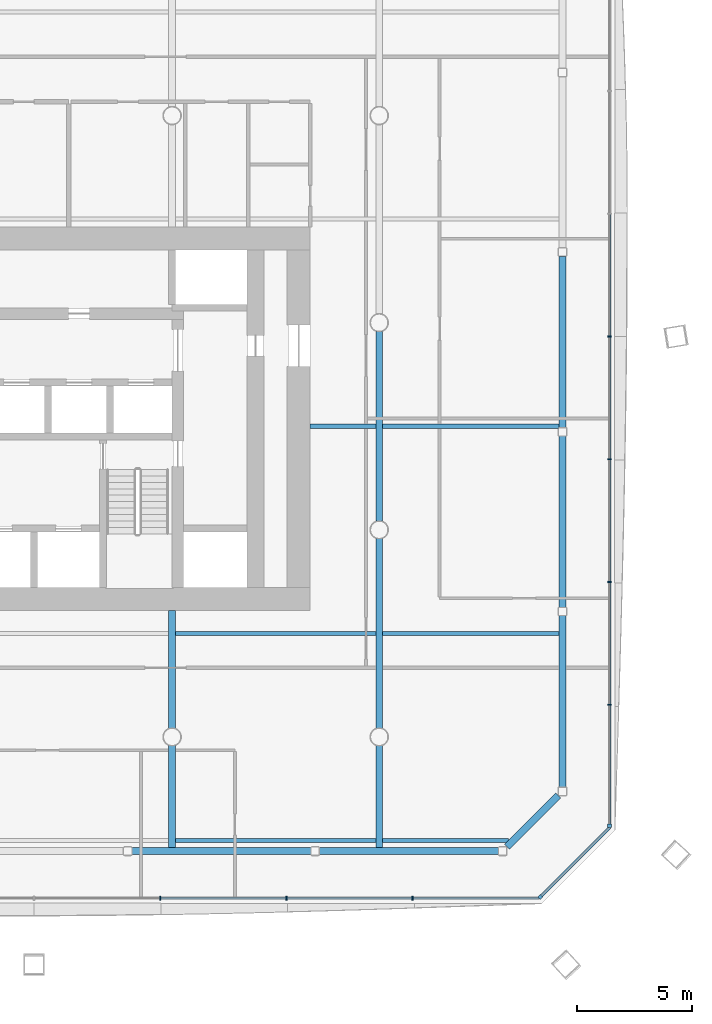
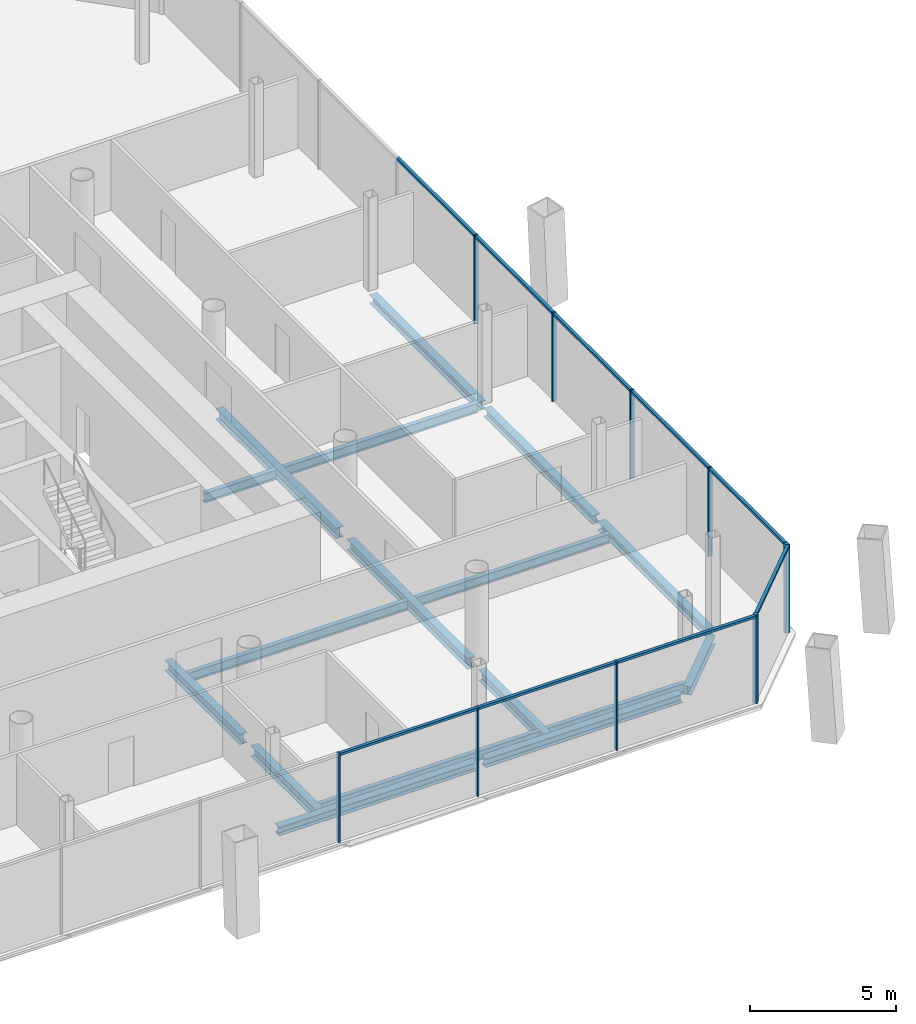
# One storey, part 5 of 19: 18 members, 17 beams, 3 elements without a shape of their own.
"""IFC4 building model written with IfcOpenShell, lengths in metres."""

from ifc_helpers import new_model, si_unit, direction, frame, origin, origin_2d, place, context, subcontext, project, spatial, rectangle, i_section, extrude, material, material_profile, profile_set, type_object, element, aggregate, save


model = new_model("IFC4")

# Units and contexts
model_context = context("Model", 3, precision=1e-05, world=origin(), true_north=direction((0.0, 1.0)))
body_context = subcontext(model_context, "Body", "Model", "MODEL_VIEW")
ifc_project = project(units=[si_unit("LENGTHUNIT", "METRE"), si_unit("AREAUNIT", "SQUARE_METRE"), si_unit("VOLUMEUNIT", "CUBIC_METRE"), si_unit("PLANEANGLEUNIT", "RADIAN"), si_unit("MASSUNIT", "GRAM", prefix="KILO")], contexts=[model_context])

# Site, building, storey
site_placement = place(None, origin())
site = spatial("IfcSite", under=ifc_project, at=site_placement, CompositionType="ELEMENT")
building_placement = place(site_placement, origin())
building = spatial("IfcBuilding", under=site, at=building_placement, Name="Tskaro Facet Tower", CompositionType="ELEMENT")
storey_placement = place(building_placement, frame((0.0, 0.0, 77.699951171875)))
storey = spatial("IfcBuildingStorey", under=building, at=storey_placement, Name="L18", CompositionType="ELEMENT", Elevation=77.699951171875)

# Curtain wall, member
ifc_material_1 = material(Name="Bronze anodised aluminium 6063-T6", Category="aluminium")
curtain_wall_type = type_object("IfcCurtainWallType", Name="Bronze office curtain wall (FW1)", PredefinedType="NOTDEFINED", material=ifc_material_1)
curtain_wall_1_placement = place(storey_placement, origin())
curtain_wall_1 = element("IfcCurtainWall", 1, at=curtain_wall_1_placement, inside=storey, type_object=curtain_wall_type, Name="FW1 south-east facet L18", PredefinedType="NOTDEFINED")
ifc_material_profile_1 = material_profile(ifc_material_1, rectangle(XDim=0.159912109375, YDim=0.159912109375, at=origin_2d()), Name="Corner post 160x160")
ifc_profile_set_1 = profile_set([ifc_material_profile_1], Name="Bronze anodised aluminium 6063-T6")
member_type_1 = type_object("IfcMemberType", Name="FW1 bronze corner post 160x160", PredefinedType="MULLION", material=ifc_profile_set_1)
member_1_placement = place(storey_placement, frame((24.99560546875, -24.954345703125, 0.0), z_axis=(0.0, 0.0, 1.0), x_axis=(0.707106781187, 0.707106781187, 0.0)))
member_1 = element("IfcMember", 2, at=member_1_placement, type_object=member_type_1, Name="FW1 south-east corner post", PredefinedType="MULLION", context=body_context, shape_type="SweptSolid", body=[
    extrude(rectangle(XDim=0.159912109375, YDim=0.159912109375, at=origin_2d()), origin(), (0.0, 0.0, 1.0), 3.699951171875),
])

curtain_wall_2_placement = place(storey_placement, origin())
curtain_wall_2 = element("IfcCurtainWall", 3, at=curtain_wall_2_placement, inside=storey, type_object=curtain_wall_type, Name="FW1 east facet L18", PredefinedType="NOTDEFINED")
member_2_placement = place(storey_placement, frame((28.010986328125, -21.85888671875, 0.0), z_axis=(0.0, 0.0, 1.0), x_axis=(0.0, 1.0, 0.0)))
member_2 = element("IfcMember", 4, at=member_2_placement, type_object=member_type_1, Name="FW1 east corner post", PredefinedType="MULLION", context=body_context, shape_type="SweptSolid", body=[
    extrude(rectangle(XDim=0.159912109375, YDim=0.159912109375, at=origin_2d()), origin(), (0.0, 0.0, 1.0), 3.699951171875),
])

# Curtain wall, members
curtain_wall_3_placement = place(storey_placement, origin())
curtain_wall_3 = element("IfcCurtainWall", 5, at=curtain_wall_3_placement, inside=storey, type_object=curtain_wall_type, Name="FW1 south facet L18", PredefinedType="NOTDEFINED")
ifc_material_profile_2 = material_profile(ifc_material_1, rectangle(XDim=0.06005859375, YDim=0.159912109375, at=origin_2d()), Name="Mullion 60x160")
ifc_profile_set_2 = profile_set([ifc_material_profile_2], Name="Bronze anodised aluminium 6063-T6")
member_type_2 = type_object("IfcMemberType", Name="FW1 bronze mullion 60x160", PredefinedType="MULLION", material=ifc_profile_set_2)
member_3_placement = place(storey_placement, frame((8.48486328125, -25.010986328125, 0.0), z_axis=(0.0, 0.0, 1.0), x_axis=(1.0, 0.0, 0.0)))
member_3 = element("IfcMember", 6, at=member_3_placement, type_object=member_type_2, Name="FW1 south mullion 5", PredefinedType="MULLION", context=body_context, shape_type="SweptSolid", body=[
    extrude(rectangle(XDim=0.06005859375, YDim=0.159912109375, at=origin_2d()), origin(), (0.0, 0.0, 1.0), 3.699951171875),
])
member_4_placement = place(storey_placement, frame((13.969482421875, -25.010986328125, 0.0), z_axis=(0.0, 0.0, 1.0), x_axis=(1.0, 0.0, 0.0)))
member_4 = element("IfcMember", 7, at=member_4_placement, type_object=member_type_2, Name="FW1 south mullion 6", PredefinedType="MULLION", context=body_context, shape_type="SweptSolid", body=[
    extrude(rectangle(XDim=0.06005859375, YDim=0.159912109375, at=origin_2d()), origin(), (0.0, 0.0, 1.0), 3.699951171875),
])
member_5_placement = place(storey_placement, frame((19.454345703125, -25.010986328125, 0.0), z_axis=(0.0, 0.0, 1.0), x_axis=(1.0, 0.0, 0.0)))
member_5 = element("IfcMember", 8, at=member_5_placement, type_object=member_type_2, Name="FW1 south mullion 7", PredefinedType="MULLION", context=body_context, shape_type="SweptSolid", body=[
    extrude(rectangle(XDim=0.06005859375, YDim=0.159912109375, at=origin_2d()), origin(), (0.0, 0.0, 1.0), 3.699951171875),
])

# Member
member_6_placement = place(storey_placement, frame((28.010986328125, -16.603515625, 0.0), z_axis=(0.0, 0.0, 1.0), x_axis=(0.0, 1.0, 0.0)))
member_6 = element("IfcMember", 9, at=member_6_placement, type_object=member_type_2, Name="FW1 east mullion 1", PredefinedType="MULLION", context=body_context, shape_type="SweptSolid", body=[
    extrude(rectangle(XDim=0.06005859375, YDim=0.159912109375, at=origin_2d()), origin(), (0.0, 0.0, 1.0), 3.699951171875),
])

member_7_placement = place(storey_placement, frame((28.010986328125, -11.268310546875, 0.0), z_axis=(0.0, 0.0, 1.0), x_axis=(0.0, 1.0, 0.0)))
member_7 = element("IfcMember", 10, at=member_7_placement, type_object=member_type_2, Name="FW1 east mullion 2", PredefinedType="MULLION", context=body_context, shape_type="SweptSolid", body=[
    extrude(rectangle(XDim=0.06005859375, YDim=0.159912109375, at=origin_2d()), origin(), (0.0, 0.0, 1.0), 3.699951171875),
])

member_8_placement = place(storey_placement, frame((28.010986328125, -5.932861328125, 0.0), z_axis=(0.0, 0.0, 1.0), x_axis=(0.0, 1.0, 0.0)))
member_8 = element("IfcMember", 11, at=member_8_placement, type_object=member_type_2, Name="FW1 east mullion 3", PredefinedType="MULLION", context=body_context, shape_type="SweptSolid", body=[
    extrude(rectangle(XDim=0.06005859375, YDim=0.159912109375, at=origin_2d()), origin(), (0.0, 0.0, 1.0), 3.699951171875),
])

member_9_placement = place(storey_placement, frame((28.010986328125, -0.597412109375, 0.0), z_axis=(0.0, 0.0, 1.0), x_axis=(0.0, 1.0, 0.0)))
member_9 = element("IfcMember", 12, at=member_9_placement, type_object=member_type_2, Name="FW1 east mullion 4", PredefinedType="MULLION", context=body_context, shape_type="SweptSolid", body=[
    extrude(rectangle(XDim=0.06005859375, YDim=0.159912109375, at=origin_2d()), origin(), (0.0, 0.0, 1.0), 3.699951171875),
])

ifc_material_profile_3 = material_profile(ifc_material_1, rectangle(XDim=0.1201171875, YDim=0.10009765625, at=origin_2d()), Name="Transom 120x100")
ifc_profile_set_3 = profile_set([ifc_material_profile_3], Name="Bronze anodised aluminium 6063-T6")
member_type_3 = type_object("IfcMemberType", Name="FW1 bronze transom 120x100", PredefinedType="USERDEFINED", material=ifc_profile_set_3)
member_10_placement = place(storey_placement, frame((8.5146484375, -25.010986328125, 3.650146484375), z_axis=(1.0, 0.0, 0.0), x_axis=(0.0, 1.0, 0.0)))
member_10 = element("IfcMember", 13, at=member_10_placement, type_object=member_type_3, Name="FW1 south transom 6.1", ObjectType="TRANSOM", PredefinedType="USERDEFINED", context=body_context, shape_type="SweptSolid", body=[
    extrude(rectangle(XDim=0.1201171875, YDim=0.10009765625, at=origin_2d()), origin(), (0.0, 0.0, 1.0), 5.4248046875),
])

member_11_placement = place(storey_placement, frame((13.99951171875, -25.010986328125, 3.650146484375), z_axis=(1.0, 0.0, 0.0), x_axis=(0.0, 1.0, 0.0)))
member_11 = element("IfcMember", 14, at=member_11_placement, type_object=member_type_3, Name="FW1 south transom 7.1", ObjectType="TRANSOM", PredefinedType="USERDEFINED", context=body_context, shape_type="SweptSolid", body=[
    extrude(rectangle(XDim=0.1201171875, YDim=0.10009765625, at=origin_2d()), origin(), (0.0, 0.0, 1.0), 5.4248046875),
])

member_12_placement = place(storey_placement, frame((19.484130859375, -25.010986328125, 3.650146484375), z_axis=(1.0, 0.0, 0.0), x_axis=(0.0, 1.0, 0.0)))
member_12 = element("IfcMember", 15, at=member_12_placement, type_object=member_type_3, Name="FW1 south transom 8.1", ObjectType="TRANSOM", PredefinedType="USERDEFINED", context=body_context, shape_type="SweptSolid", body=[
    extrude(rectangle(XDim=0.1201171875, YDim=0.10009765625, at=origin_2d()), origin(), (0.0, 0.0, 1.0), 5.454833984375),
])

aggregate(curtain_wall_3, [member_3, member_4, member_5, member_10, member_11, member_12])

member_13_placement = place(storey_placement, frame((25.05224609375, -24.89794921875, 3.650146484375), z_axis=(0.70707760831, 0.70713595286, 0.0), x_axis=(-0.70713595286, 0.70707760831, 0.0)))
member_13 = element("IfcMember", 16, at=member_13_placement, type_object=member_type_3, Name="FW1 south-east transom 1.1", ObjectType="TRANSOM", PredefinedType="USERDEFINED", context=body_context, shape_type="SweptSolid", body=[
    extrude(rectangle(XDim=0.1201171875, YDim=0.10009765625, at=origin_2d()), origin(), (0.0, 0.0, 1.0), 4.1845703125),
])

aggregate(curtain_wall_1, [member_1, member_13])

member_14_placement = place(storey_placement, frame((28.010986328125, -21.779052734375, 3.650146484375), z_axis=(0.0, 1.0, 0.0), x_axis=(-1.0, 0.0, 0.0)))
member_14 = element("IfcMember", 17, at=member_14_placement, type_object=member_type_3, Name="FW1 east transom 1.1", ObjectType="TRANSOM", PredefinedType="USERDEFINED", context=body_context, shape_type="SweptSolid", body=[
    extrude(rectangle(XDim=0.1201171875, YDim=0.10009765625, at=origin_2d()), origin(), (0.0, 0.0, 1.0), 5.1455078125),
])

member_15_placement = place(storey_placement, frame((28.010986328125, -16.57373046875, 3.650146484375), z_axis=(0.0, 1.0, 0.0), x_axis=(-1.0, 0.0, 0.0)))
member_15 = element("IfcMember", 18, at=member_15_placement, type_object=member_type_3, Name="FW1 east transom 2.1", ObjectType="TRANSOM", PredefinedType="USERDEFINED", context=body_context, shape_type="SweptSolid", body=[
    extrude(rectangle(XDim=0.1201171875, YDim=0.10009765625, at=origin_2d()), origin(), (0.0, 0.0, 1.0), 5.275390625),
])

member_16_placement = place(storey_placement, frame((28.010986328125, -11.23828125, 3.650146484375), z_axis=(0.0, 1.0, 0.0), x_axis=(-1.0, 0.0, 0.0)))
member_16 = element("IfcMember", 19, at=member_16_placement, type_object=member_type_3, Name="FW1 east transom 3.1", ObjectType="TRANSOM", PredefinedType="USERDEFINED", context=body_context, shape_type="SweptSolid", body=[
    extrude(rectangle(XDim=0.1201171875, YDim=0.10009765625, at=origin_2d()), origin(), (0.0, 0.0, 1.0), 5.275390625),
])

member_17_placement = place(storey_placement, frame((28.010986328125, -5.90283203125, 3.650146484375), z_axis=(0.0, 1.0, 0.0), x_axis=(-1.0, 0.0, 0.0)))
member_17 = element("IfcMember", 20, at=member_17_placement, type_object=member_type_3, Name="FW1 east transom 4.1", ObjectType="TRANSOM", PredefinedType="USERDEFINED", context=body_context, shape_type="SweptSolid", body=[
    extrude(rectangle(XDim=0.1201171875, YDim=0.10009765625, at=origin_2d()), origin(), (0.0, 0.0, 1.0), 5.275390625),
])

member_18_placement = place(storey_placement, frame((28.010986328125, -0.5673828125, 3.650146484375), z_axis=(0.0, 1.0, 0.0), x_axis=(-1.0, 0.0, 0.0)))
member_18 = element("IfcMember", 21, at=member_18_placement, type_object=member_type_3, Name="FW1 east transom 5.1", ObjectType="TRANSOM", PredefinedType="USERDEFINED", context=body_context, shape_type="SweptSolid", body=[
    extrude(rectangle(XDim=0.1201171875, YDim=0.10009765625, at=origin_2d()), origin(), (0.0, 0.0, 1.0), 5.275146484375),
])

aggregate(curtain_wall_2, [member_2, member_6, member_7, member_8, member_9, member_14, member_15, member_16, member_17, member_18])

# Beams
ifc_material_2 = material(Name="Steel S355J2", Category="steel")
ifc_material_profile_4 = material_profile(ifc_material_2, i_section(OverallWidth=0.300048828125, OverallDepth=0.360107421875, WebThickness=0.012451171875, FlangeThickness=0.0224609375, FilletRadius=0.027099609375, at=origin_2d()), Name="HE 360 B")
ifc_profile_set_4 = profile_set([ifc_material_profile_4], Name="Steel S355J2")
beam_type_1 = type_object("IfcBeamType", Name="HE 360 B ring beam", PredefinedType="BEAM", material=ifc_profile_set_4)
beam_1_placement = place(storey_placement, frame((7.2529296875, -22.965087890625, -0.320068359375), z_axis=(1.0, 0.0, 0.0), x_axis=(0.0, 1.0, 0.0)))
element("IfcBeam", 22, at=beam_1_placement, inside=storey, type_object=beam_type_1, Name="HE 360 B EB4-2", PredefinedType="BEAM", context=body_context, shape_type="SweptSolid", body=[
    extrude(i_section(OverallWidth=0.300048828125, OverallDepth=0.360107421875, WebThickness=0.012451171875, FlangeThickness=0.0224609375, FilletRadius=0.027099609375, at=origin_2d()), origin(), (0.0, 0.0, 1.0), 7.78515625),
])
beam_2_placement = place(storey_placement, frame((15.39794921875, -22.965087890625, -0.320068359375), z_axis=(1.0, 0.0, 0.0), x_axis=(0.0, 1.0, 0.0)))
element("IfcBeam", 23, at=beam_2_placement, inside=storey, type_object=beam_type_1, Name="HE 360 B EB5-2", PredefinedType="BEAM", context=body_context, shape_type="SweptSolid", body=[
    extrude(i_section(OverallWidth=0.300048828125, OverallDepth=0.360107421875, WebThickness=0.012451171875, FlangeThickness=0.0224609375, FilletRadius=0.027099609375, at=origin_2d()), origin(), (0.0, 0.0, 1.0), 7.7861328125),
])
beam_3_placement = place(storey_placement, frame((23.5498046875, -22.779052734375, -0.320068359375), z_axis=(0.707106781187, 0.707106781187, 0.0), x_axis=(-0.707106781187, 0.707106781187, 0.0)))
element("IfcBeam", 24, at=beam_3_placement, inside=storey, type_object=beam_type_1, Name="HE 360 B EB6-2", PredefinedType="BEAM", context=body_context, shape_type="SweptSolid", body=[
    extrude(i_section(OverallWidth=0.300048828125, OverallDepth=0.360107421875, WebThickness=0.012451171875, FlangeThickness=0.0224609375, FilletRadius=0.027099609375, at=origin_2d()), origin(), (0.0, 0.0, 1.0), 3.152587890625),
])
beam_4_placement = place(storey_placement, frame((25.965087890625, -20.18408203125, -0.320068359375), z_axis=(0.0, 1.0, 0.0), x_axis=(-1.0, 0.0, 0.0)))
element("IfcBeam", 25, at=beam_4_placement, inside=storey, type_object=beam_type_1, Name="HE 360 B EB7-2", PredefinedType="BEAM", context=body_context, shape_type="SweptSolid", body=[
    extrude(i_section(OverallWidth=0.300048828125, OverallDepth=0.360107421875, WebThickness=0.012451171875, FlangeThickness=0.0224609375, FilletRadius=0.027099609375, at=origin_2d()), origin(), (0.0, 0.0, 1.0), 7.451171875),
])
beam_5_placement = place(storey_placement, frame((25.965087890625, -12.373046875, -0.320068359375), z_axis=(0.0, 1.0, 0.0), x_axis=(-1.0, 0.0, 0.0)))
element("IfcBeam", 26, at=beam_5_placement, inside=storey, type_object=beam_type_1, Name="HE 360 B EB8-2", PredefinedType="BEAM", context=body_context, shape_type="SweptSolid", body=[
    extrude(i_section(OverallWidth=0.300048828125, OverallDepth=0.360107421875, WebThickness=0.012451171875, FlangeThickness=0.0224609375, FilletRadius=0.027099609375, at=origin_2d()), origin(), (0.0, 0.0, 1.0), 7.450927734375),
])
beam_6_placement = place(storey_placement, frame((25.965087890625, -4.56201171875, -0.320068359375), z_axis=(0.0, 1.0, 0.0), x_axis=(-1.0, 0.0, 0.0)))
element("IfcBeam", 27, at=beam_6_placement, inside=storey, type_object=beam_type_1, Name="HE 360 B EB9-2", PredefinedType="BEAM", context=body_context, shape_type="SweptSolid", body=[
    extrude(i_section(OverallWidth=0.300048828125, OverallDepth=0.360107421875, WebThickness=0.012451171875, FlangeThickness=0.0224609375, FilletRadius=0.027099609375, at=origin_2d()), origin(), (0.0, 0.0, 1.0), 7.449951171875),
])
ifc_material_profile_5 = material_profile(ifc_material_2, i_section(OverallWidth=0.300048828125, OverallDepth=0.43994140625, WebThickness=0.011474609375, FlangeThickness=0.02099609375, FilletRadius=0.027099609375, at=origin_2d()), Name="HE 450 A")
ifc_profile_set_5 = profile_set([ifc_material_profile_5], Name="Steel S355J2")
beam_type_2 = type_object("IfcBeamType", Name="HE 450 A girder", PredefinedType="BEAM", material=ifc_profile_set_5)
beam_7_placement = place(storey_placement, frame((9.0, -22.81494140625, -0.35986328125), z_axis=(0.0, 1.0, 0.0), x_axis=(-1.0, 0.0, 0.0)))
element("IfcBeam", 28, at=beam_7_placement, inside=storey, type_object=beam_type_2, Name="HE 450 A GB5-1-2", PredefinedType="BEAM", context=body_context, shape_type="SweptSolid", body=[
    extrude(i_section(OverallWidth=0.300048828125, OverallDepth=0.43994140625, WebThickness=0.011474609375, FlangeThickness=0.02099609375, FilletRadius=0.027099609375, at=origin_2d()), origin(), (0.0, 0.0, 1.0), 4.4384765625),
])
beam_8_placement = place(storey_placement, frame((9.0, -17.62353515625, -0.35986328125), z_axis=(0.0, 1.0, 0.0), x_axis=(-1.0, 0.0, 0.0)))
element("IfcBeam", 29, at=beam_8_placement, inside=storey, type_object=beam_type_2, Name="HE 450 A GB5-2-2", PredefinedType="BEAM", context=body_context, shape_type="SweptSolid", body=[
    extrude(i_section(OverallWidth=0.300048828125, OverallDepth=0.43994140625, WebThickness=0.011474609375, FlangeThickness=0.02099609375, FilletRadius=0.027099609375, at=origin_2d()), origin(), (0.0, 0.0, 1.0), 5.12353515625),
])
beam_9_placement = place(storey_placement, frame((18.0, -22.81494140625, -0.35986328125), z_axis=(0.0, 1.0, 0.0), x_axis=(-1.0, 0.0, 0.0)))
element("IfcBeam", 30, at=beam_9_placement, inside=storey, type_object=beam_type_2, Name="HE 450 A GB6-1-2", PredefinedType="BEAM", context=body_context, shape_type="SweptSolid", body=[
    extrude(i_section(OverallWidth=0.300048828125, OverallDepth=0.43994140625, WebThickness=0.011474609375, FlangeThickness=0.02099609375, FilletRadius=0.027099609375, at=origin_2d()), origin(), (0.0, 0.0, 1.0), 4.4384765625),
])
for number, where, z_axis, x_axis, name in (
    (31, (18.0, -17.62353515625, -0.35986328125), (0.0, 1.0, 0.0), (-1.0, 0.0, 0.0), "HE 450 A GB6-2-2"),
    (32, (18.0, -8.62353515625, -0.35986328125), (0.0, 1.0, 0.0), (-1.0, 0.0, 0.0), "HE 450 A GB6-3-2"),
):
    element("IfcBeam", number, at=place(storey_placement, frame(where, z_axis=z_axis, x_axis=x_axis)), inside=storey, type_object=beam_type_2, Name=name, PredefinedType="BEAM", context=body_context, shape_type="SweptSolid", body=[
        extrude(i_section(OverallWidth=0.300048828125, OverallDepth=0.43994140625, WebThickness=0.011474609375, FlangeThickness=0.02099609375, FilletRadius=0.027099609375, at=origin_2d()), origin(), (0.0, 0.0, 1.0), 8.2470703125),
    ])
ifc_material_profile_6 = material_profile(ifc_material_2, i_section(OverallWidth=0.179931640625, OverallDepth=0.39990234375, WebThickness=0.008544921875, FlangeThickness=0.013427734375, FilletRadius=0.02099609375, at=origin_2d()), Name="IPE 400")
ifc_profile_set_6 = profile_set([ifc_material_profile_6], Name="Steel S355J2")
beam_type_3 = type_object("IfcBeamType", Name="IPE 400 secondary beam", PredefinedType="BEAM", material=ifc_profile_set_6)
beam_10_placement = place(storey_placement, frame((9.14990234375, -22.5, -0.33984375), z_axis=(1.0, 0.0, 0.0), x_axis=(0.0, 1.0, 0.0)))
element("IfcBeam", 33, at=beam_10_placement, inside=storey, type_object=beam_type_3, Name="IPE 400 SB1a-4-2", PredefinedType="BEAM", context=body_context, shape_type="SweptSolid", body=[
    extrude(i_section(OverallWidth=0.179931640625, OverallDepth=0.39990234375, WebThickness=0.008544921875, FlangeThickness=0.013427734375, FilletRadius=0.02099609375, at=origin_2d()), origin(), (0.0, 0.0, 1.0), 8.7001953125),
])
beam_11_placement = place(storey_placement, frame((18.14990234375, -22.5, -0.33984375), z_axis=(1.0, 0.0, 0.0), x_axis=(0.0, 1.0, 0.0)))
element("IfcBeam", 34, at=beam_11_placement, inside=storey, type_object=beam_type_3, Name="IPE 400 SB1a-5-2", PredefinedType="BEAM", context=body_context, shape_type="SweptSolid", body=[
    extrude(i_section(OverallWidth=0.179931640625, OverallDepth=0.39990234375, WebThickness=0.008544921875, FlangeThickness=0.013427734375, FilletRadius=0.02099609375, at=origin_2d()), origin(), (0.0, 0.0, 1.0), 5.467041015625),
])
beam_12_placement = place(storey_placement, frame((9.14990234375, -13.5, -0.33984375), z_axis=(1.0, 0.0, 0.0), x_axis=(0.0, 1.0, 0.0)))
element("IfcBeam", 35, at=beam_12_placement, inside=storey, type_object=beam_type_3, Name="IPE 400 SB2a-4-2", PredefinedType="BEAM", context=body_context, shape_type="SweptSolid", body=[
    extrude(i_section(OverallWidth=0.179931640625, OverallDepth=0.39990234375, WebThickness=0.008544921875, FlangeThickness=0.013427734375, FilletRadius=0.02099609375, at=origin_2d()), origin(), (0.0, 0.0, 1.0), 8.7001953125),
])
beam_13_placement = place(storey_placement, frame((18.14990234375, -13.5, -0.33984375), z_axis=(1.0, 0.0, 0.0), x_axis=(0.0, 1.0, 0.0)))
element("IfcBeam", 36, at=beam_13_placement, inside=storey, type_object=beam_type_3, Name="IPE 400 SB2a-5-2", PredefinedType="BEAM", context=body_context, shape_type="SweptSolid", body=[
    extrude(i_section(OverallWidth=0.179931640625, OverallDepth=0.39990234375, WebThickness=0.008544921875, FlangeThickness=0.013427734375, FilletRadius=0.02099609375, at=origin_2d()), origin(), (0.0, 0.0, 1.0), 7.6650390625),
])
beam_14_placement = place(storey_placement, frame((15.0, -4.5, -0.33984375), z_axis=(1.0, 0.0, 0.0), x_axis=(0.0, 1.0, 0.0)))
element("IfcBeam", 37, at=beam_14_placement, inside=storey, type_object=beam_type_3, Name="IPE 400 SB3a-2-2", PredefinedType="BEAM", context=body_context, shape_type="SweptSolid", body=[
    extrude(i_section(OverallWidth=0.179931640625, OverallDepth=0.39990234375, WebThickness=0.008544921875, FlangeThickness=0.013427734375, FilletRadius=0.02099609375, at=origin_2d()), origin(), (0.0, 0.0, 1.0), 2.85009765625),
])
beam_15_placement = place(storey_placement, frame((18.14990234375, -4.5, -0.33984375), z_axis=(1.0, 0.0, 0.0), x_axis=(0.0, 1.0, 0.0)))
element("IfcBeam", 38, at=beam_15_placement, inside=storey, type_object=beam_type_3, Name="IPE 400 SB3a-3-2", PredefinedType="BEAM", context=body_context, shape_type="SweptSolid", body=[
    extrude(i_section(OverallWidth=0.179931640625, OverallDepth=0.39990234375, WebThickness=0.008544921875, FlangeThickness=0.013427734375, FilletRadius=0.02099609375, at=origin_2d()), origin(), (0.0, 0.0, 1.0), 7.6650390625),
])

save(model, "model.ifc")
